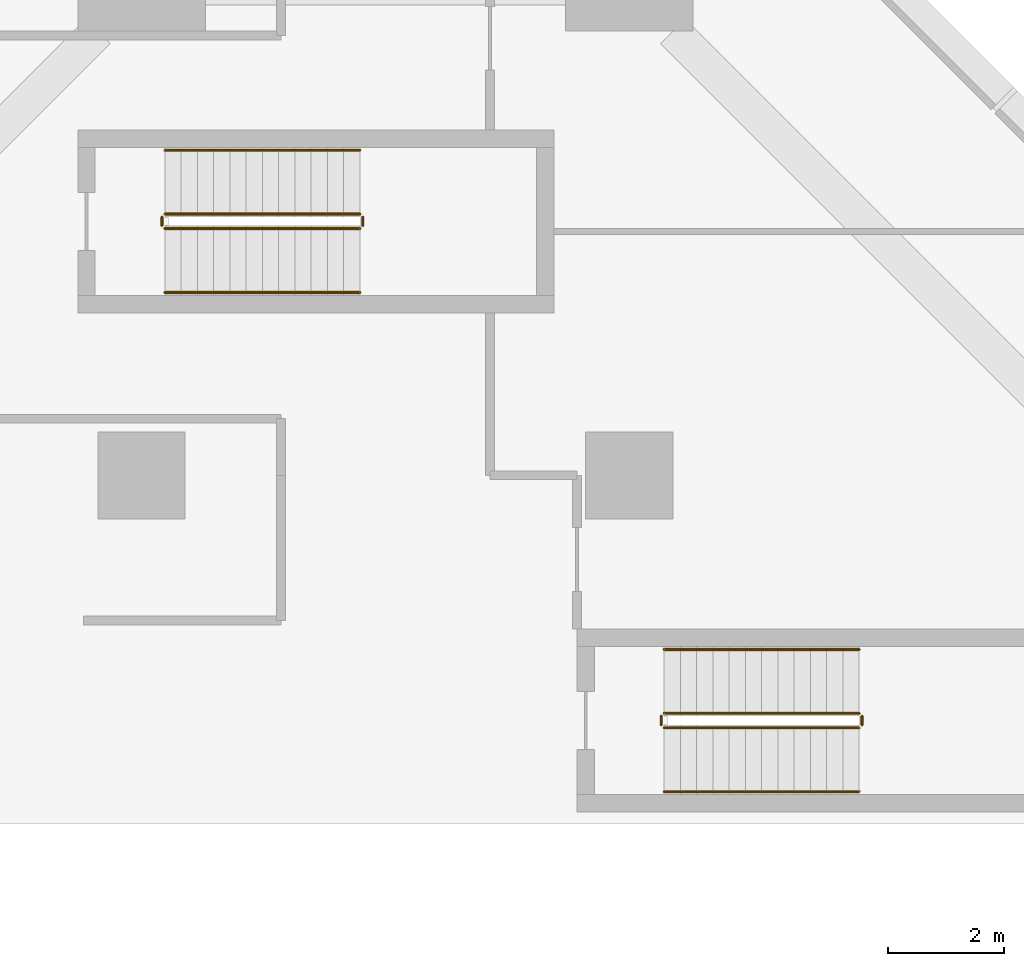
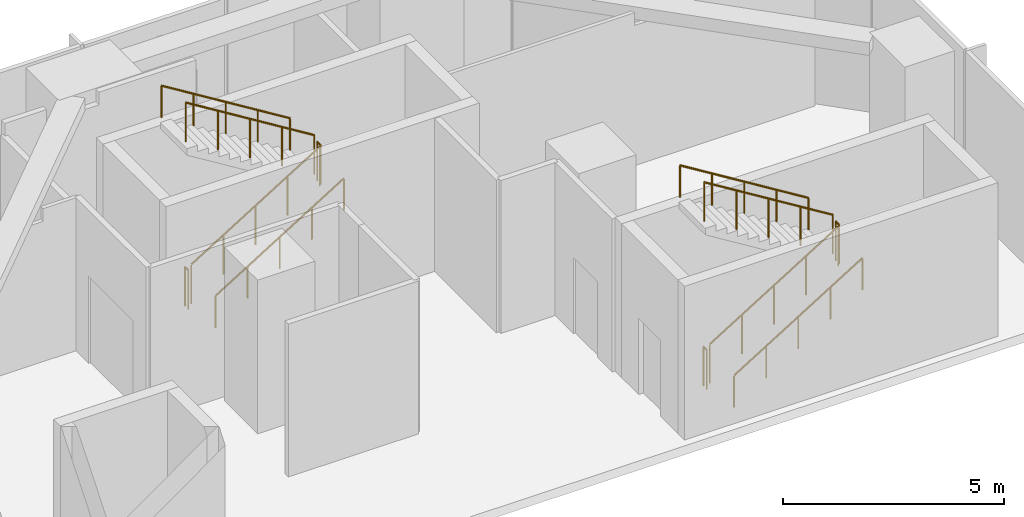
# One storey, part 18 of 18: 12 railings.
"""IFC4 building model written with IfcOpenShell, lengths in metres."""

from ifc_helpers import new_model, si_unit, direction, frame, origin, origin_2d, place, context, subcontext, project, spatial, circle, extrude, material, type_object, element, save


model = new_model("IFC4")

# Units and contexts
model_context = context("Model", 3, precision=1e-05, world=origin(), true_north=direction((0.0, 1.0)))
body_context = subcontext(model_context, "Body", "Model", "MODEL_VIEW")
ifc_project = project(units=[si_unit("LENGTHUNIT", "METRE"), si_unit("AREAUNIT", "SQUARE_METRE"), si_unit("VOLUMEUNIT", "CUBIC_METRE"), si_unit("PLANEANGLEUNIT", "RADIAN"), si_unit("MASSUNIT", "GRAM", prefix="KILO")], contexts=[model_context])

# Site, building, storey
site_placement = place(None, origin())
site = spatial("IfcSite", under=ifc_project, at=site_placement, CompositionType="ELEMENT")
building_placement = place(site_placement, origin())
building = spatial("IfcBuilding", under=site, at=building_placement, Name="Brevane Broadcast Tower", CompositionType="ELEMENT")
storey_placement = place(building_placement, frame((0.0, 0.0, 27.5)))
storey = spatial("IfcBuildingStorey", under=building, at=storey_placement, Name="L04", CompositionType="ELEMENT", Elevation=27.5)

# Railings
ifc_material = material(Name="Steel S355", Category="steel")
railing_type_1 = type_object("IfcRailingType", Name="Exit stair guard", PredefinedType="GUARDRAIL", material=ifc_material)
railing_1_placement = place(storey_placement, frame((17.39990234375, 54.449951171875, 0.173095703125)))
element("IfcRailing", 1, at=railing_1_placement, inside=storey, type_object=railing_type_1, Name="L04 ST-5 stair guard 1", PredefinedType="GUARDRAIL", context=body_context, shape_type="SweptSolid", body=[
    extrude(circle(Radius=0.02392578125, at=origin_2d()), frame((0.0, 0.0, 1.076171875), z_axis=(0.850623216509, 0.0, 0.525775754039), x_axis=(0.0, 1.0, 0.0)), (0.0, 0.0, 1.0), 3.9501953125),
    extrude(circle(Radius=0.02099609375, at=origin_2d()), origin(), (0.0, 0.0, 1.0), 1.052001953125),
    extrude(circle(Radius=0.02099609375, at=origin_2d()), frame((0.840087890625, 0.0, 0.519287109375)), (0.0, 0.0, 1.0), 1.052001953125),
    extrude(circle(Radius=0.02099609375, at=origin_2d()), frame((1.68017578125, 0.0, 1.03857421875)), (0.0, 0.0, 1.0), 1.052001953125),
    extrude(circle(Radius=0.02099609375, at=origin_2d()), frame((2.52001953125, 0.0, 1.5576171875)), (0.0, 0.0, 1.0), 1.052001953125),
    extrude(circle(Radius=0.02099609375, at=origin_2d()), frame((3.360107421875, 0.0, 2.076904296875)), (0.0, 0.0, 1.0), 1.052001953125),
])
railing_2_placement = place(storey_placement, frame((20.81005859375, 54.5, 2.25)))
element("IfcRailing", 2, at=railing_2_placement, inside=storey, type_object=railing_type_1, Name="L04 ST-5 stair guard 2", PredefinedType="GUARDRAIL", context=body_context, shape_type="SweptSolid", body=[
    extrude(circle(Radius=0.02392578125, at=origin_2d()), frame((0.0, 0.0, 1.076171875), z_axis=(0.0, 1.0, 0.0), x_axis=(-1.0, 0.0, 0.0)), (0.0, 0.0, 1.0), 0.14990234375),
    extrude(circle(Radius=0.02099609375, at=origin_2d()), origin(), (0.0, 0.0, 1.0), 1.052001953125),
    extrude(circle(Radius=0.02099609375, at=origin_2d()), frame((0.0, 0.14990234375, 0.0)), (0.0, 0.0, 1.0), 1.052001953125),
])
railing_3_placement = place(storey_placement, frame((20.760009765625, 54.699951171875, 2.423095703125)))
element("IfcRailing", 3, at=railing_3_placement, inside=storey, type_object=railing_type_1, Name="L04 ST-5 stair guard 3", PredefinedType="GUARDRAIL", context=body_context, shape_type="SweptSolid", body=[
    extrude(circle(Radius=0.02392578125, at=origin_2d()), frame((0.0, 0.0, 1.076171875), z_axis=(-0.850623216509, 0.0, 0.525775754039), x_axis=(0.0, -1.0, 0.0)), (0.0, 0.0, 1.0), 3.9501953125),
    extrude(circle(Radius=0.02099609375, at=origin_2d()), origin(), (0.0, 0.0, 1.0), 1.052001953125),
    extrude(circle(Radius=0.02099609375, at=origin_2d()), frame((-0.840087890625, 0.0, 0.519287109375)), (0.0, 0.0, 1.0), 1.052001953125),
    extrude(circle(Radius=0.02099609375, at=origin_2d()), frame((-1.68017578125, 0.0, 1.03857421875)), (0.0, 0.0, 1.0), 1.052001953125),
    extrude(circle(Radius=0.02099609375, at=origin_2d()), frame((-2.52001953125, 0.0, 1.5576171875)), (0.0, 0.0, 1.0), 1.052001953125),
    extrude(circle(Radius=0.02099609375, at=origin_2d()), frame((-3.360107421875, 0.0, 2.076904296875)), (0.0, 0.0, 1.0), 1.052001953125),
])
railing_4_placement = place(storey_placement, frame((17.35009765625, 54.5, 0.0)))
element("IfcRailing", 4, at=railing_4_placement, inside=storey, type_object=railing_type_1, Name="L04 ST-5 stair guard 4", PredefinedType="GUARDRAIL", context=body_context, shape_type="SweptSolid", body=[
    extrude(circle(Radius=0.02392578125, at=origin_2d()), frame((0.0, 0.0, 1.076171875), z_axis=(0.0, 1.0, 0.0), x_axis=(-1.0, 0.0, 0.0)), (0.0, 0.0, 1.0), 0.14990234375),
    extrude(circle(Radius=0.02099609375, at=origin_2d()), origin(), (0.0, 0.0, 1.0), 1.052001953125),
    extrude(circle(Radius=0.02099609375, at=origin_2d()), frame((0.0, 0.14990234375, 0.0)), (0.0, 0.0, 1.0), 1.052001953125),
])
railing_5_placement = place(storey_placement, frame((8.800048828125, 63.050048828125, 0.173095703125)))
element("IfcRailing", 5, at=railing_5_placement, inside=storey, type_object=railing_type_1, Name="L04 ST-6 stair guard 1", PredefinedType="GUARDRAIL", context=body_context, shape_type="SweptSolid", body=[
    extrude(circle(Radius=0.02392578125, at=origin_2d()), frame((0.0, 0.0, 1.076171875), z_axis=(0.850606129759, 0.0, 0.525803396734), x_axis=(0.0, 1.0, 0.0)), (0.0, 0.0, 1.0), 3.949951171875),
    extrude(circle(Radius=0.02099609375, at=origin_2d()), origin(), (0.0, 0.0, 1.0), 1.052001953125),
    extrude(circle(Radius=0.02099609375, at=origin_2d()), frame((0.83984375, 0.0, 0.519287109375)), (0.0, 0.0, 1.0), 1.052001953125),
    extrude(circle(Radius=0.02099609375, at=origin_2d()), frame((1.679931640625, 0.0, 1.03857421875)), (0.0, 0.0, 1.0), 1.052001953125),
    extrude(circle(Radius=0.02099609375, at=origin_2d()), frame((2.52001953125, 0.0, 1.5576171875)), (0.0, 0.0, 1.0), 1.052001953125),
    extrude(circle(Radius=0.02099609375, at=origin_2d()), frame((3.35986328125, 0.0, 2.076904296875)), (0.0, 0.0, 1.0), 1.052001953125),
])
railing_6_placement = place(storey_placement, frame((12.2099609375, 63.10009765625, 2.25)))
element("IfcRailing", 6, at=railing_6_placement, inside=storey, type_object=railing_type_1, Name="L04 ST-6 stair guard 2", PredefinedType="GUARDRAIL", context=body_context, shape_type="SweptSolid", body=[
    extrude(circle(Radius=0.02392578125, at=origin_2d()), frame((0.0, 0.0, 1.076171875), z_axis=(0.0, 1.0, 0.0), x_axis=(-1.0, 0.0, 0.0)), (0.0, 0.0, 1.0), 0.14990234375),
    extrude(circle(Radius=0.02099609375, at=origin_2d()), origin(), (0.0, 0.0, 1.0), 1.052001953125),
    extrude(circle(Radius=0.02099609375, at=origin_2d()), frame((0.0, 0.14990234375, 0.0)), (0.0, 0.0, 1.0), 1.052001953125),
])
railing_7_placement = place(storey_placement, frame((12.159912109375, 63.300048828125, 2.423095703125)))
element("IfcRailing", 7, at=railing_7_placement, inside=storey, type_object=railing_type_1, Name="L04 ST-6 stair guard 3", PredefinedType="GUARDRAIL", context=body_context, shape_type="SweptSolid", body=[
    extrude(circle(Radius=0.02392578125, at=origin_2d()), frame((0.0, 0.0, 1.076171875), z_axis=(-0.850606129759, 0.0, 0.525803396734), x_axis=(0.0, -1.0, 0.0)), (0.0, 0.0, 1.0), 3.949951171875),
    extrude(circle(Radius=0.02099609375, at=origin_2d()), origin(), (0.0, 0.0, 1.0), 1.052001953125),
    extrude(circle(Radius=0.02099609375, at=origin_2d()), frame((-0.83984375, 0.0, 0.519287109375)), (0.0, 0.0, 1.0), 1.052001953125),
    extrude(circle(Radius=0.02099609375, at=origin_2d()), frame((-1.679931640625, 0.0, 1.03857421875)), (0.0, 0.0, 1.0), 1.052001953125),
    extrude(circle(Radius=0.02099609375, at=origin_2d()), frame((-2.52001953125, 0.0, 1.5576171875)), (0.0, 0.0, 1.0), 1.052001953125),
    extrude(circle(Radius=0.02099609375, at=origin_2d()), frame((-3.35986328125, 0.0, 2.076904296875)), (0.0, 0.0, 1.0), 1.052001953125),
])
railing_8_placement = place(storey_placement, frame((8.75, 63.10009765625, 0.0)))
element("IfcRailing", 8, at=railing_8_placement, inside=storey, type_object=railing_type_1, Name="L04 ST-6 stair guard 4", PredefinedType="GUARDRAIL", context=body_context, shape_type="SweptSolid", body=[
    extrude(circle(Radius=0.02392578125, at=origin_2d()), frame((0.0, 0.0, 1.076171875), z_axis=(0.0, 1.0, 0.0), x_axis=(-1.0, 0.0, 0.0)), (0.0, 0.0, 1.0), 0.14990234375),
    extrude(circle(Radius=0.02099609375, at=origin_2d()), origin(), (0.0, 0.0, 1.0), 1.052001953125),
    extrude(circle(Radius=0.02099609375, at=origin_2d()), frame((0.0, 0.14990234375, 0.0)), (0.0, 0.0, 1.0), 1.052001953125),
])
railing_type_2 = type_object("IfcRailingType", Name="Exit stair handrail", PredefinedType="HANDRAIL", material=ifc_material)
railing_9_placement = place(storey_placement, frame((17.39990234375, 53.35009765625, 0.173095703125)))
element("IfcRailing", 9, at=railing_9_placement, inside=storey, type_object=railing_type_2, Name="L04 ST-5 stair handrail 1", PredefinedType="HANDRAIL", context=body_context, shape_type="SweptSolid", body=[
    extrude(circle(Radius=0.02392578125, at=origin_2d()), frame((0.0, 0.0, 0.8759765625), z_axis=(0.850623216509, 0.0, 0.525775754039), x_axis=(0.0, 1.0, 0.0)), (0.0, 0.0, 1.0), 3.9501953125),
    extrude(circle(Radius=0.02099609375, at=origin_2d()), origin(), (0.0, 0.0, 1.0), 0.851806640625),
    extrude(circle(Radius=0.02099609375, at=origin_2d()), frame((0.840087890625, 0.0, 0.519287109375)), (0.0, 0.0, 1.0), 0.851806640625),
    extrude(circle(Radius=0.02099609375, at=origin_2d()), frame((1.68017578125, 0.0, 1.03857421875)), (0.0, 0.0, 1.0), 0.851806640625),
    extrude(circle(Radius=0.02099609375, at=origin_2d()), frame((2.52001953125, 0.0, 1.5576171875)), (0.0, 0.0, 1.0), 0.851806640625),
    extrude(circle(Radius=0.02099609375, at=origin_2d()), frame((3.360107421875, 0.0, 2.076904296875)), (0.0, 0.0, 1.0), 0.851806640625),
])
railing_10_placement = place(storey_placement, frame((20.760009765625, 55.800048828125, 2.423095703125)))
element("IfcRailing", 10, at=railing_10_placement, inside=storey, type_object=railing_type_2, Name="L04 ST-5 stair handrail 2", PredefinedType="HANDRAIL", context=body_context, shape_type="SweptSolid", body=[
    extrude(circle(Radius=0.02392578125, at=origin_2d()), frame((0.0, 0.0, 0.8759765625), z_axis=(-0.850623216509, 0.0, 0.525775754039), x_axis=(0.0, -1.0, 0.0)), (0.0, 0.0, 1.0), 3.9501953125),
    extrude(circle(Radius=0.02099609375, at=origin_2d()), origin(), (0.0, 0.0, 1.0), 0.851806640625),
    extrude(circle(Radius=0.02099609375, at=origin_2d()), frame((-0.840087890625, 0.0, 0.519287109375)), (0.0, 0.0, 1.0), 0.851806640625),
    extrude(circle(Radius=0.02099609375, at=origin_2d()), frame((-1.68017578125, 0.0, 1.03857421875)), (0.0, 0.0, 1.0), 0.851806640625),
    extrude(circle(Radius=0.02099609375, at=origin_2d()), frame((-2.52001953125, 0.0, 1.5576171875)), (0.0, 0.0, 1.0), 0.851806640625),
    extrude(circle(Radius=0.02099609375, at=origin_2d()), frame((-3.360107421875, 0.0, 2.076904296875)), (0.0, 0.0, 1.0), 0.851806640625),
])
railing_11_placement = place(storey_placement, frame((8.800048828125, 61.949951171875, 0.173095703125)))
element("IfcRailing", 11, at=railing_11_placement, inside=storey, type_object=railing_type_2, Name="L04 ST-6 stair handrail 1", PredefinedType="HANDRAIL", context=body_context, shape_type="SweptSolid", body=[
    extrude(circle(Radius=0.02392578125, at=origin_2d()), frame((0.0, 0.0, 0.8759765625), z_axis=(0.850606129759, 0.0, 0.525803396734), x_axis=(0.0, 1.0, 0.0)), (0.0, 0.0, 1.0), 3.949951171875),
    extrude(circle(Radius=0.02099609375, at=origin_2d()), origin(), (0.0, 0.0, 1.0), 0.851806640625),
    extrude(circle(Radius=0.02099609375, at=origin_2d()), frame((0.83984375, 0.0, 0.519287109375)), (0.0, 0.0, 1.0), 0.851806640625),
    extrude(circle(Radius=0.02099609375, at=origin_2d()), frame((1.679931640625, 0.0, 1.03857421875)), (0.0, 0.0, 1.0), 0.851806640625),
    extrude(circle(Radius=0.02099609375, at=origin_2d()), frame((2.52001953125, 0.0, 1.5576171875)), (0.0, 0.0, 1.0), 0.851806640625),
    extrude(circle(Radius=0.02099609375, at=origin_2d()), frame((3.35986328125, 0.0, 2.076904296875)), (0.0, 0.0, 1.0), 0.851806640625),
])
railing_12_placement = place(storey_placement, frame((12.159912109375, 64.39990234375, 2.423095703125)))
element("IfcRailing", 12, at=railing_12_placement, inside=storey, type_object=railing_type_2, Name="L04 ST-6 stair handrail 2", PredefinedType="HANDRAIL", context=body_context, shape_type="SweptSolid", body=[
    extrude(circle(Radius=0.02392578125, at=origin_2d()), frame((0.0, 0.0, 0.8759765625), z_axis=(-0.850606129759, 0.0, 0.525803396734), x_axis=(0.0, -1.0, 0.0)), (0.0, 0.0, 1.0), 3.949951171875),
    extrude(circle(Radius=0.02099609375, at=origin_2d()), origin(), (0.0, 0.0, 1.0), 0.851806640625),
    extrude(circle(Radius=0.02099609375, at=origin_2d()), frame((-0.83984375, 0.0, 0.519287109375)), (0.0, 0.0, 1.0), 0.851806640625),
    extrude(circle(Radius=0.02099609375, at=origin_2d()), frame((-1.679931640625, 0.0, 1.03857421875)), (0.0, 0.0, 1.0), 0.851806640625),
    extrude(circle(Radius=0.02099609375, at=origin_2d()), frame((-2.52001953125, 0.0, 1.5576171875)), (0.0, 0.0, 1.0), 0.851806640625),
    extrude(circle(Radius=0.02099609375, at=origin_2d()), frame((-3.35986328125, 0.0, 2.076904296875)), (0.0, 0.0, 1.0), 0.851806640625),
])

save(model, "model.ifc")
